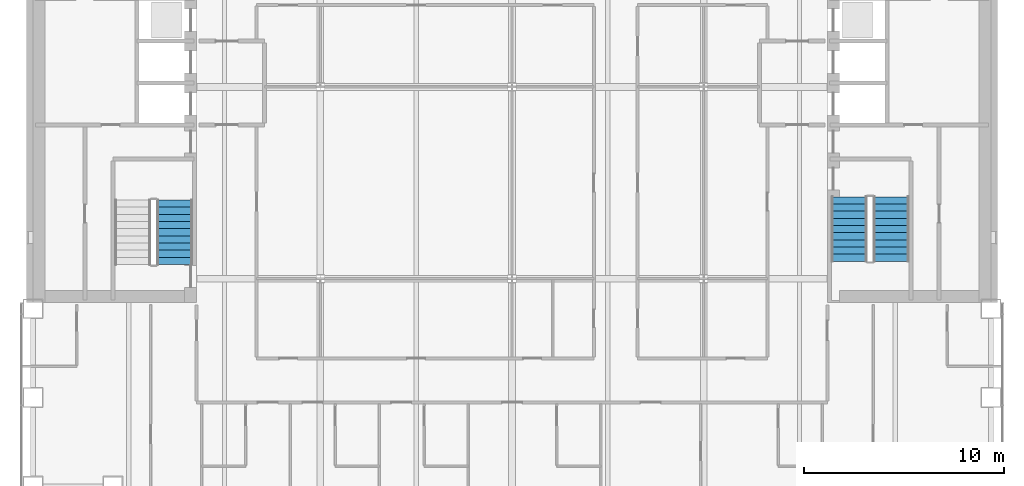
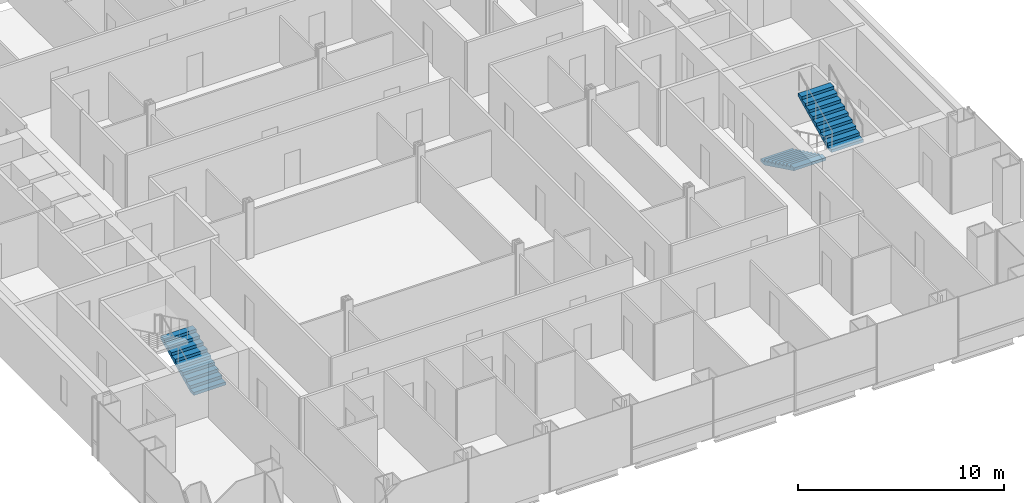
# One storey, part 21 of 23: 3 stair flights, 2 elements without a shape of their own.
"""IFC4 building model written with IfcOpenShell, lengths in metres."""

from ifc_helpers import new_model, si_unit, direction, frame, origin, place, context, subcontext, project, spatial, polyline, outline, extrude, material, type_object, element, aggregate, save


model = new_model("IFC4")

# Units and contexts
model_context = context("Model", 3, precision=1e-05, world=origin(), true_north=direction((0.0, 1.0)))
body_context = subcontext(model_context, "Body", "Model", "MODEL_VIEW")
ifc_project = project(units=[si_unit("LENGTHUNIT", "METRE"), si_unit("AREAUNIT", "SQUARE_METRE"), si_unit("VOLUMEUNIT", "CUBIC_METRE"), si_unit("PLANEANGLEUNIT", "RADIAN"), si_unit("MASSUNIT", "GRAM", prefix="KILO")], contexts=[model_context])

# Site, building, storey
site_placement = place(None, origin())
site = spatial("IfcSite", under=ifc_project, at=site_placement, CompositionType="ELEMENT")
building_placement = place(site_placement, origin())
building = spatial("IfcBuilding", under=site, at=building_placement, Name="Cobrizo Arcos Hotel Tower", CompositionType="ELEMENT")
storey_placement = place(building_placement, frame((0.0, 0.0, 49.5)))
storey = spatial("IfcBuildingStorey", under=building, at=storey_placement, Name="L10", CompositionType="ELEMENT", Elevation=49.5)

# Stair, stair flight
ifc_material = material(Name="Concrete f'c 40 MPa", Category="concrete")
stair_type = type_object("IfcStairType", Name="Exit stair", PredefinedType="HALF_TURN_STAIR", material=ifc_material)
stair_1_placement = place(storey_placement, origin())
stair_1 = element("IfcStair", 1, at=stair_1_placement, inside=storey, type_object=stair_type, Name="L10 Exit stair ST-W", PredefinedType="HALF_TURN_STAIR")
stair_flight_type = type_object("IfcStairFlightType", Name="Exit stair flight", PredefinedType="STRAIGHT", material=ifc_material)
stair_flight_1_placement = place(storey_placement, frame((-16.89990234375, -8.89990234375, 0.0), z_axis=(0.0, 0.0, 1.0), x_axis=(0.0, 1.0, 0.0)))
stair_flight_1 = element("IfcStairFlight", 2, at=stair_flight_1_placement, type_object=stair_flight_type, Name="ST-W flight 1", NumberOfRisers=10, NumberOfTreads=9, PredefinedType="STRAIGHT", RiserHeight=0.175, TreadLength=0.36, context=body_context, shape_type="SweptSolid", body=[
    extrude(outline(polyline([(0.0, 0.0), (0.0, 0.175048828125), (0.360107421875, 0.175048828125), (0.360107421875, 0.35009765625), (0.719970703125, 0.35009765625), (0.719970703125, 0.52490234375), (1.080078125, 0.52490234375), (1.080078125, 0.699951171875), (1.43994140625, 0.699951171875), (1.43994140625, 0.875), (1.800048828125, 0.875), (1.800048828125, 1.050048828125), (2.159912109375, 1.050048828125), (2.159912109375, 1.22509765625), (2.52001953125, 1.22509765625), (2.52001953125, 1.39990234375), (2.8798828125, 1.39990234375), (2.8798828125, 1.574951171875), (3.239990234375, 1.574951171875), (3.239990234375, 1.75), (3.239990234375, 1.408203125), (0.3427734375, 0.0), (0.0, 0.0)])), frame((0.0, 0.89990234375, 0.0), z_axis=(0.0, -1.0, 0.0), x_axis=(1.0, 0.0, 0.0)), (0.0, 0.0, 1.0), 1.800048828125),
])
aggregate(stair_1, [stair_flight_1])

# Stair, stair flights
stair_2_placement = place(storey_placement, origin())
stair_2 = element("IfcStair", 3, at=stair_2_placement, inside=storey, type_object=stair_type, Name="L10 Exit stair ST-E", PredefinedType="HALF_TURN_STAIR")
stair_flight_2_placement = place(storey_placement, frame((16.89990234375, -5.5, 0.0), z_axis=(0.0, 0.0, 1.0), x_axis=(0.0, -1.0, 0.0)))
stair_flight_2 = element("IfcStairFlight", 4, at=stair_flight_2_placement, type_object=stair_flight_type, Name="ST-E flight 1", NumberOfRisers=10, NumberOfTreads=9, PredefinedType="STRAIGHT", RiserHeight=0.175, TreadLength=0.36, context=body_context, shape_type="SweptSolid", body=[
    extrude(outline(polyline([(0.0, 0.0), (0.0, 0.175048828125), (0.360107421875, 0.175048828125), (0.360107421875, 0.35009765625), (0.719970703125, 0.35009765625), (0.719970703125, 0.52490234375), (1.080078125, 0.52490234375), (1.080078125, 0.699951171875), (1.43994140625, 0.699951171875), (1.43994140625, 0.875), (1.800048828125, 0.875), (1.800048828125, 1.050048828125), (2.159912109375, 1.050048828125), (2.159912109375, 1.22509765625), (2.52001953125, 1.22509765625), (2.52001953125, 1.39990234375), (2.8798828125, 1.39990234375), (2.8798828125, 1.574951171875), (3.239990234375, 1.574951171875), (3.239990234375, 1.75), (3.239990234375, 1.408203125), (0.3427734375, 0.0), (0.0, 0.0)])), frame((0.0, 0.89990234375, 0.0), z_axis=(0.0, -1.0, 0.0), x_axis=(1.0, 0.0, 0.0)), (0.0, 0.0, 1.0), 1.800048828125),
])
stair_flight_3_placement = place(storey_placement, frame((19.0, -8.739990234375, 1.75), z_axis=(0.0, 0.0, 1.0), x_axis=(0.0, 1.0, 0.0)))
stair_flight_3 = element("IfcStairFlight", 5, at=stair_flight_3_placement, type_object=stair_flight_type, Name="ST-E flight 2", NumberOfRisers=10, NumberOfTreads=9, PredefinedType="STRAIGHT", RiserHeight=0.175, TreadLength=0.36, context=body_context, shape_type="SweptSolid", body=[
    extrude(outline(polyline([(0.0, 0.0), (0.0, 0.175048828125), (0.360107421875, 0.175048828125), (0.360107421875, 0.35009765625), (0.719970703125, 0.35009765625), (0.719970703125, 0.52490234375), (1.080078125, 0.52490234375), (1.080078125, 0.699951171875), (1.43994140625, 0.699951171875), (1.43994140625, 0.875), (1.800048828125, 0.875), (1.800048828125, 1.050048828125), (2.159912109375, 1.050048828125), (2.159912109375, 1.22509765625), (2.52001953125, 1.22509765625), (2.52001953125, 1.39990234375), (2.8798828125, 1.39990234375), (2.8798828125, 1.574951171875), (3.239990234375, 1.574951171875), (3.239990234375, 1.75), (3.239990234375, 1.408203125), (0.3427734375, 0.0), (0.0, 0.0)])), frame((0.0, 0.89990234375, 0.0), z_axis=(0.0, -1.0, 0.0), x_axis=(1.0, 0.0, 0.0)), (0.0, 0.0, 1.0), 1.800048828125),
])
aggregate(stair_2, [stair_flight_2, stair_flight_3])

save(model, "model.ifc")
